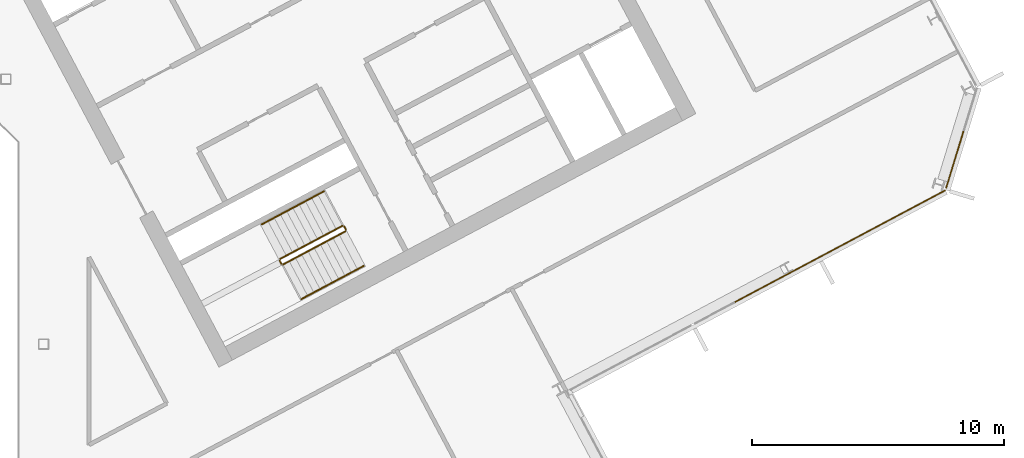
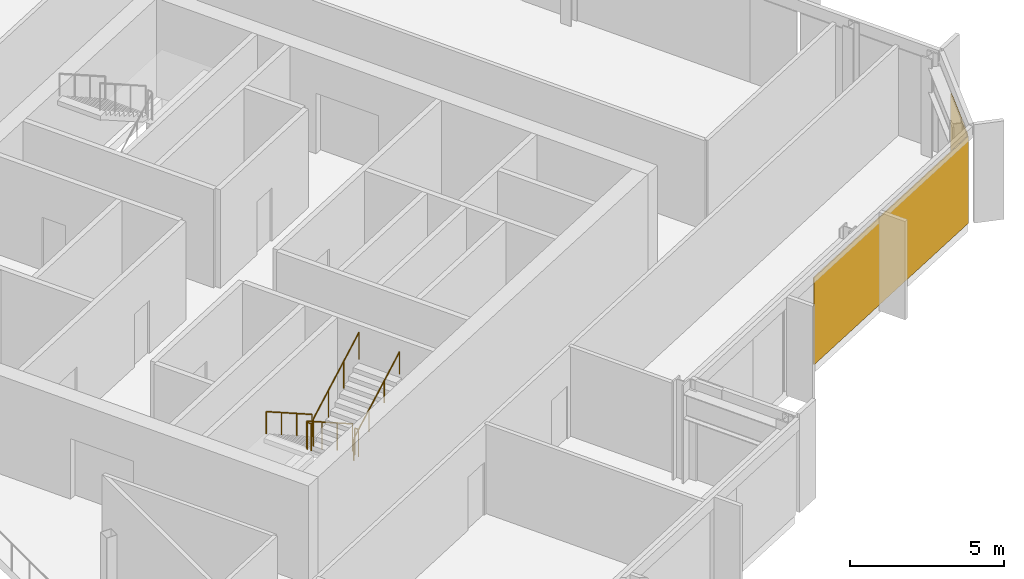
# One storey, part 24 of 26: 6 railings, 2 coverings, 2 elements without a shape of their own.
"""IFC4 building model written with IfcOpenShell, lengths in metres."""

from ifc_helpers import new_model, si_unit, direction, frame, origin, origin_2d, place, context, subcontext, project, spatial, polyline, rectangle, outline, extrude, material, layer, layer_set, type_object, element, aggregate, save


model = new_model("IFC4")

# Units and contexts
model_context = context("Model", 3, precision=1e-05, world=origin(), true_north=direction((0.0, 1.0)))
body_context = subcontext(model_context, "Body", "Model", "MODEL_VIEW")
ifc_project = project(units=[si_unit("LENGTHUNIT", "METRE"), si_unit("AREAUNIT", "SQUARE_METRE"), si_unit("VOLUMEUNIT", "CUBIC_METRE"), si_unit("PLANEANGLEUNIT", "RADIAN"), si_unit("MASSUNIT", "GRAM", prefix="KILO")], contexts=[model_context])

# Site, building, storey
site_placement = place(None, origin())
site = spatial("IfcSite", under=ifc_project, at=site_placement, CompositionType="ELEMENT")
building_placement = place(site_placement, origin())
building = spatial("IfcBuilding", under=site, at=building_placement, Name="Cormorant Relay Tower", CompositionType="ELEMENT")
storey_placement = place(building_placement, frame((0.0, 0.0, 205.199951171875)))
storey = spatial("IfcBuildingStorey", under=building, at=storey_placement, Name="L44", CompositionType="ELEMENT", Elevation=205.199951171875)

# Curtain wall, covering
ifc_material_1 = material(Name="Aluminium 6063-T6 anodised bronze", Category="aluminium")
ifc_layer_1 = layer(ifc_material_1, 0.199951171875)
ifc_layer_set_1 = layer_set([ifc_layer_1], Name="CW1 unitised bronze curtain wall with vertical fins")
curtain_wall_type = type_object("IfcCurtainWallType", Name="CW1 unitised bronze curtain wall with vertical fins", PredefinedType="NOTDEFINED", material=ifc_layer_set_1)
curtain_wall_1_placement = place(storey_placement, origin())
curtain_wall_1 = element("IfcCurtainWall", 1, at=curtain_wall_1_placement, inside=storey, type_object=curtain_wall_type, Name="CW1 curtain wall 4", PredefinedType="NOTDEFINED")
ifc_material_2 = material(Name="Pale bronze anodised aluminium insulated panel", Category="aluminium")
ifc_layer_2 = layer(ifc_material_2, 0.0400390625)
ifc_layer_set_2 = layer_set([ifc_layer_2], Name="CW1 pale bronze insulated panel 40")
covering_type = type_object("IfcCoveringType", Name="CW1 pale bronze insulated panel 40", PredefinedType="CLADDING", material=ifc_layer_set_2)
covering_1_placement = place(storey_placement, frame((43.54736328125, 3.878173828125, 0.0), z_axis=(0.0, 0.0, 1.0), x_axis=(0.882947592859, 0.469471562786, 0.0)))
covering_1 = element("IfcCovering", 2, at=covering_1_placement, type_object=covering_type, Name="CW1 panel S03", PredefinedType="CLADDING", context=body_context, shape_type="SweptSolid", body=[
    extrude(rectangle(XDim=9.458251953125, YDim=0.0400390625, at=origin_2d()), origin(), (0.0, 0.0, 1.0), 3.449951171875),
])
aggregate(curtain_wall_1, [covering_1])

curtain_wall_2_placement = place(storey_placement, origin())
curtain_wall_2 = element("IfcCurtainWall", 3, at=curtain_wall_2_placement, inside=storey, type_object=curtain_wall_type, Name="CW1 curtain wall 5", PredefinedType="NOTDEFINED")
covering_2_placement = place(storey_placement, frame((48.100830078125, 7.314208984375, 0.0), z_axis=(0.0, 0.0, 1.0), x_axis=(0.292371704723, 0.956304755963, 0.0)))
covering_2 = element("IfcCovering", 4, at=covering_2_placement, type_object=covering_type, Name="CW1 panel S00", PredefinedType="CLADDING", context=body_context, shape_type="SweptSolid", body=[
    extrude(rectangle(XDim=2.36767578125, YDim=0.0400390625, at=origin_2d()), origin(), (0.0, 0.0, 1.0), 3.449951171875),
])
aggregate(curtain_wall_2, [covering_2])

# Railings
ifc_material_3 = material(Name="Steel ASTM A572 Grade 50 (Fy 345 MPa)", Category="steel")
railing_type_1 = type_object("IfcRailingType", Name="Stair guard 1100", PredefinedType="GUARDRAIL", material=ifc_material_3)
railing_1_placement = place(storey_placement, frame((23.83837890625, 4.6904296875, 0.17724609375)))
element("IfcRailing", 5, at=railing_1_placement, inside=storey, type_object=railing_type_1, Name="L44 B1 stair guard 1", PredefinedType="GUARDRAIL", context=body_context, shape_type="SweptSolid", body=[
    extrude(outline(polyline([(0.022216796875, 0.00927734375), (0.00927734375, 0.022216796875), (-0.00927734375, 0.022216796875), (-0.022216796875, 0.00927734375), (-0.022216796875, -0.00927734375), (-0.00927734375, -0.022216796875), (0.00927734375, -0.022216796875), (0.022216796875, -0.00927734375), (0.022216796875, 0.00927734375)])), frame((0.0, 0.0, 1.076171875), z_axis=(-0.746033882577, -0.396627473466, 0.534901947407), x_axis=(0.469429322983, -0.882970050864, 0.0)), (0.0, 0.0, 1.0), 3.31396484375),
    extrude(outline(polyline([(0.019287109375, 0.008056640625), (0.008056640625, 0.019287109375), (-0.008056640625, 0.019287109375), (-0.019287109375, 0.008056640625), (-0.019287109375, -0.008056640625), (-0.008056640625, -0.019287109375), (0.008056640625, -0.019287109375), (0.019287109375, -0.008056640625), (0.019287109375, 0.008056640625)])), origin(), (0.0, 0.0, 1.0), 1.052001953125),
    extrude(outline(polyline([(0.019287109375, 0.008056640625), (0.008056640625, 0.019287109375), (-0.008056640625, 0.019287109375), (-0.019287109375, 0.008056640625), (-0.019287109375, -0.008056640625), (-0.008056640625, -0.019287109375), (0.008056640625, -0.019287109375), (0.019287109375, -0.008056640625), (0.019287109375, 0.008056640625)])), frame((-0.82421875, -0.438232421875, 0.5908203125)), (0.0, 0.0, 1.0), 1.052001953125),
    extrude(outline(polyline([(0.019287109375, 0.008056640625), (0.008056640625, 0.019287109375), (-0.008056640625, 0.019287109375), (-0.019287109375, 0.008056640625), (-0.019287109375, -0.008056640625), (-0.008056640625, -0.019287109375), (0.008056640625, -0.019287109375), (0.019287109375, -0.008056640625), (0.019287109375, 0.008056640625)])), frame((-1.648193359375, -0.876220703125, 1.181884765625)), (0.0, 0.0, 1.0), 1.052001953125),
    extrude(outline(polyline([(0.019287109375, 0.008056640625), (0.008056640625, 0.019287109375), (-0.008056640625, 0.019287109375), (-0.019287109375, 0.008056640625), (-0.019287109375, -0.008056640625), (-0.008056640625, -0.019287109375), (0.008056640625, -0.019287109375), (0.019287109375, -0.008056640625), (0.019287109375, 0.008056640625)])), frame((-2.472412109375, -1.314453125, 1.772705078125)), (0.0, 0.0, 1.0), 1.052001953125),
])
railing_2_placement = place(storey_placement, frame((21.345458984375, 3.308349609375, 1.949951171875)))
element("IfcRailing", 6, at=railing_2_placement, inside=storey, type_object=railing_type_1, Name="L44 B1 stair guard 2", PredefinedType="GUARDRAIL", context=body_context, shape_type="SweptSolid", body=[
    extrude(outline(polyline([(0.022216796875, 0.00927734375), (0.00927734375, 0.022216796875), (-0.00927734375, 0.022216796875), (-0.022216796875, 0.00927734375), (-0.022216796875, -0.00927734375), (-0.00927734375, -0.022216796875), (0.00927734375, -0.022216796875), (0.022216796875, -0.00927734375), (0.022216796875, 0.00927734375)])), frame((0.0, 0.0, 1.076171875), z_axis=(0.46856034887, -0.8834314911, 0.0), x_axis=(0.8834314911, 0.46856034887, 0.0)), (0.0, 0.0, 1.0), 0.150146484375),
    extrude(outline(polyline([(0.019287109375, 0.008056640625), (0.008056640625, 0.019287109375), (-0.008056640625, 0.019287109375), (-0.019287109375, 0.008056640625), (-0.019287109375, -0.008056640625), (-0.008056640625, -0.019287109375), (0.008056640625, -0.019287109375), (0.019287109375, -0.008056640625), (0.019287109375, 0.008056640625)])), origin(), (0.0, 0.0, 1.0), 1.052001953125),
    extrude(outline(polyline([(0.019287109375, 0.008056640625), (0.008056640625, 0.019287109375), (-0.008056640625, 0.019287109375), (-0.019287109375, 0.008056640625), (-0.019287109375, -0.008056640625), (-0.008056640625, -0.019287109375), (0.008056640625, -0.019287109375), (0.019287109375, -0.008056640625), (0.019287109375, 0.008056640625)])), frame((0.0703125, -0.132568359375, 0.0)), (0.0, 0.0, 1.0), 1.052001953125),
])
railing_3_placement = place(storey_placement, frame((21.4833984375, 3.1552734375, 2.12744140625)))
element("IfcRailing", 7, at=railing_3_placement, inside=storey, type_object=railing_type_1, Name="L44 B1 stair guard 3", PredefinedType="GUARDRAIL", context=body_context, shape_type="SweptSolid", body=[
    extrude(outline(polyline([(0.022216796875, 0.00927734375), (0.00927734375, 0.022216796875), (-0.00927734375, 0.022216796875), (-0.022216796875, 0.00927734375), (-0.022216796875, -0.00927734375), (-0.00927734375, -0.022216796875), (0.00927734375, -0.022216796875), (0.022216796875, -0.00927734375), (0.022216796875, 0.00927734375)])), frame((0.0, 0.0, 1.076171875), z_axis=(0.746001213114, 0.396649272309, 0.534931345884), x_axis=(-0.469465464807, 0.882950835185, 0.0)), (0.0, 0.0, 1.0), 3.31396484375),
    extrude(outline(polyline([(0.019287109375, 0.008056640625), (0.008056640625, 0.019287109375), (-0.008056640625, 0.019287109375), (-0.019287109375, 0.008056640625), (-0.019287109375, -0.008056640625), (-0.008056640625, -0.019287109375), (0.008056640625, -0.019287109375), (0.019287109375, -0.008056640625), (0.019287109375, 0.008056640625)])), origin(), (0.0, 0.0, 1.0), 1.052001953125),
    extrude(outline(polyline([(0.019287109375, 0.008056640625), (0.008056640625, 0.019287109375), (-0.008056640625, 0.019287109375), (-0.019287109375, 0.008056640625), (-0.019287109375, -0.008056640625), (-0.008056640625, -0.019287109375), (0.008056640625, -0.019287109375), (0.019287109375, -0.008056640625), (0.019287109375, 0.008056640625)])), frame((0.823974609375, 0.438232421875, 0.5908203125)), (0.0, 0.0, 1.0), 1.052001953125),
    extrude(outline(polyline([(0.019287109375, 0.008056640625), (0.008056640625, 0.019287109375), (-0.008056640625, 0.019287109375), (-0.019287109375, 0.008056640625), (-0.019287109375, -0.008056640625), (-0.008056640625, -0.019287109375), (0.008056640625, -0.019287109375), (0.019287109375, -0.008056640625), (0.019287109375, 0.008056640625)])), frame((1.648193359375, 0.876220703125, 1.181884765625)), (0.0, 0.0, 1.0), 1.052001953125),
    extrude(outline(polyline([(0.019287109375, 0.008056640625), (0.008056640625, 0.019287109375), (-0.008056640625, 0.019287109375), (-0.019287109375, 0.008056640625), (-0.019287109375, -0.008056640625), (-0.008056640625, -0.019287109375), (0.008056640625, -0.019287109375), (0.019287109375, -0.008056640625), (0.019287109375, 0.008056640625)])), frame((2.47216796875, 1.314453125, 1.772705078125)), (0.0, 0.0, 1.0), 1.052001953125),
])
railing_4_placement = place(storey_placement, frame((23.906005859375, 4.669677734375, 0.0)))
element("IfcRailing", 8, at=railing_4_placement, inside=storey, type_object=railing_type_1, Name="L44 B1 stair guard 4", PredefinedType="GUARDRAIL", context=body_context, shape_type="SweptSolid", body=[
    extrude(outline(polyline([(0.022216796875, 0.00927734375), (0.00927734375, 0.022216796875), (-0.00927734375, 0.022216796875), (-0.022216796875, 0.00927734375), (-0.022216796875, -0.00927734375), (-0.00927734375, -0.022216796875), (0.00927734375, -0.022216796875), (0.022216796875, -0.00927734375), (0.022216796875, 0.00927734375)])), frame((0.0, 0.0, 1.076171875), z_axis=(0.469234640946, -0.883073525669, 0.0), x_axis=(0.883073525669, 0.469234640946, 0.0)), (0.0, 0.0, 1.0), 0.14990234375),
    extrude(outline(polyline([(0.019287109375, 0.008056640625), (0.008056640625, 0.019287109375), (-0.008056640625, 0.019287109375), (-0.019287109375, 0.008056640625), (-0.019287109375, -0.008056640625), (-0.008056640625, -0.019287109375), (0.008056640625, -0.019287109375), (0.019287109375, -0.008056640625), (0.019287109375, 0.008056640625)])), origin(), (0.0, 0.0, 1.0), 1.052001953125),
    extrude(outline(polyline([(0.019287109375, 0.008056640625), (0.008056640625, 0.019287109375), (-0.008056640625, 0.019287109375), (-0.019287109375, 0.008056640625), (-0.019287109375, -0.008056640625), (-0.008056640625, -0.019287109375), (0.008056640625, -0.019287109375), (0.019287109375, -0.008056640625), (0.019287109375, 0.008056640625)])), frame((0.0703125, -0.13232421875, 0.0)), (0.0, 0.0, 1.0), 1.052001953125),
])
ifc_material_4 = material(Name="Steel ASTM A572 Grade 50 (Fy 345 MPa)", Category="steel")
railing_type_2 = type_object("IfcRailingType", Name="Stair handrail 900", PredefinedType="HANDRAIL", material=ifc_material_4)
railing_5_placement = place(storey_placement, frame((23.110595703125, 6.05908203125, 0.17724609375)))
element("IfcRailing", 9, at=railing_5_placement, inside=storey, type_object=railing_type_2, Name="L44 B1 stair handrail 1", PredefinedType="HANDRAIL", context=body_context, shape_type="SweptSolid", body=[
    extrude(outline(polyline([(0.022216796875, 0.00927734375), (0.00927734375, 0.022216796875), (-0.00927734375, 0.022216796875), (-0.022216796875, 0.00927734375), (-0.022216796875, -0.00927734375), (-0.00927734375, -0.022216796875), (0.00927734375, -0.022216796875), (0.022216796875, -0.00927734375), (0.022216796875, 0.00927734375)])), frame((0.0, 0.0, 0.8759765625), z_axis=(-0.745979412481, -0.396711350603, 0.534915713414), x_axis=(0.469533439143, -0.882914689835, 0.0)), (0.0, 0.0, 1.0), 3.31396484375),
    extrude(outline(polyline([(0.019287109375, 0.008056640625), (0.008056640625, 0.019287109375), (-0.008056640625, 0.019287109375), (-0.019287109375, 0.008056640625), (-0.019287109375, -0.008056640625), (-0.008056640625, -0.019287109375), (0.008056640625, -0.019287109375), (0.019287109375, -0.008056640625), (0.019287109375, 0.008056640625)])), origin(), (0.0, 0.0, 1.0), 0.851806640625),
    extrude(outline(polyline([(0.019287109375, 0.008056640625), (0.008056640625, 0.019287109375), (-0.008056640625, 0.019287109375), (-0.019287109375, 0.008056640625), (-0.019287109375, -0.008056640625), (-0.008056640625, -0.019287109375), (0.008056640625, -0.019287109375), (0.019287109375, -0.008056640625), (0.019287109375, 0.008056640625)])), frame((-0.823974609375, -0.438232421875, 0.5908203125)), (0.0, 0.0, 1.0), 0.851806640625),
    extrude(outline(polyline([(0.019287109375, 0.008056640625), (0.008056640625, 0.019287109375), (-0.008056640625, 0.019287109375), (-0.019287109375, 0.008056640625), (-0.019287109375, -0.008056640625), (-0.008056640625, -0.019287109375), (0.008056640625, -0.019287109375), (0.019287109375, -0.008056640625), (0.019287109375, 0.008056640625)])), frame((-1.648193359375, -0.87646484375, 1.181884765625)), (0.0, 0.0, 1.0), 0.851806640625),
    extrude(outline(polyline([(0.019287109375, 0.008056640625), (0.008056640625, 0.019287109375), (-0.008056640625, 0.019287109375), (-0.019287109375, 0.008056640625), (-0.019287109375, -0.008056640625), (-0.008056640625, -0.019287109375), (0.008056640625, -0.019287109375), (0.019287109375, -0.008056640625), (0.019287109375, 0.008056640625)])), frame((-2.47216796875, -1.314697265625, 1.772705078125)), (0.0, 0.0, 1.0), 0.851806640625),
])
railing_6_placement = place(storey_placement, frame((22.211181640625, 1.78662109375, 2.12744140625)))
element("IfcRailing", 10, at=railing_6_placement, inside=storey, type_object=railing_type_2, Name="L44 B1 stair handrail 2", PredefinedType="HANDRAIL", context=body_context, shape_type="SweptSolid", body=[
    extrude(outline(polyline([(0.022216796875, 0.00927734375), (0.00927734375, 0.022216796875), (-0.00927734375, 0.022216796875), (-0.022216796875, 0.00927734375), (-0.022216796875, -0.00927734375), (-0.00927734375, -0.022216796875), (0.00927734375, -0.022216796875), (0.022216796875, -0.00927734375), (0.022216796875, 0.00927734375)])), frame((0.0, 0.0, 0.8759765625), z_axis=(0.746001213114, 0.396649272309, 0.534931345884), x_axis=(-0.469465464807, 0.882950835185, 0.0)), (0.0, 0.0, 1.0), 3.31396484375),
    extrude(outline(polyline([(0.019287109375, 0.008056640625), (0.008056640625, 0.019287109375), (-0.008056640625, 0.019287109375), (-0.019287109375, 0.008056640625), (-0.019287109375, -0.008056640625), (-0.008056640625, -0.019287109375), (0.008056640625, -0.019287109375), (0.019287109375, -0.008056640625), (0.019287109375, 0.008056640625)])), origin(), (0.0, 0.0, 1.0), 0.851806640625),
    extrude(outline(polyline([(0.019287109375, 0.008056640625), (0.008056640625, 0.019287109375), (-0.008056640625, 0.019287109375), (-0.019287109375, 0.008056640625), (-0.019287109375, -0.008056640625), (-0.008056640625, -0.019287109375), (0.008056640625, -0.019287109375), (0.019287109375, -0.008056640625), (0.019287109375, 0.008056640625)])), frame((0.823974609375, 0.438232421875, 0.5908203125)), (0.0, 0.0, 1.0), 0.851806640625),
    extrude(outline(polyline([(0.019287109375, 0.008056640625), (0.008056640625, 0.019287109375), (-0.008056640625, 0.019287109375), (-0.019287109375, 0.008056640625), (-0.019287109375, -0.008056640625), (-0.008056640625, -0.019287109375), (0.008056640625, -0.019287109375), (0.019287109375, -0.008056640625), (0.019287109375, 0.008056640625)])), frame((1.648193359375, 0.876220703125, 1.181884765625)), (0.0, 0.0, 1.0), 0.851806640625),
    extrude(outline(polyline([(0.019287109375, 0.008056640625), (0.008056640625, 0.019287109375), (-0.008056640625, 0.019287109375), (-0.019287109375, 0.008056640625), (-0.019287109375, -0.008056640625), (-0.008056640625, -0.019287109375), (0.008056640625, -0.019287109375), (0.019287109375, -0.008056640625), (0.019287109375, 0.008056640625)])), frame((2.47216796875, 1.314453125, 1.772705078125)), (0.0, 0.0, 1.0), 0.851806640625),
])

save(model, "model.ifc")
